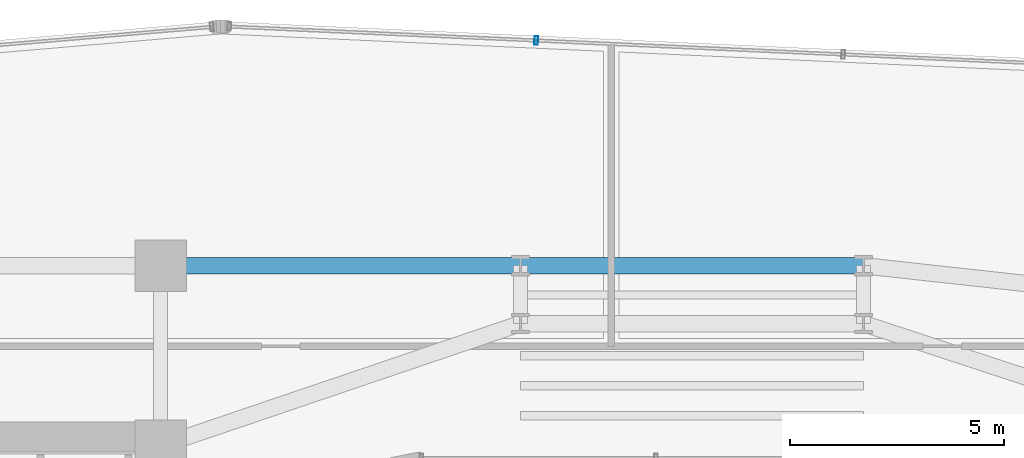
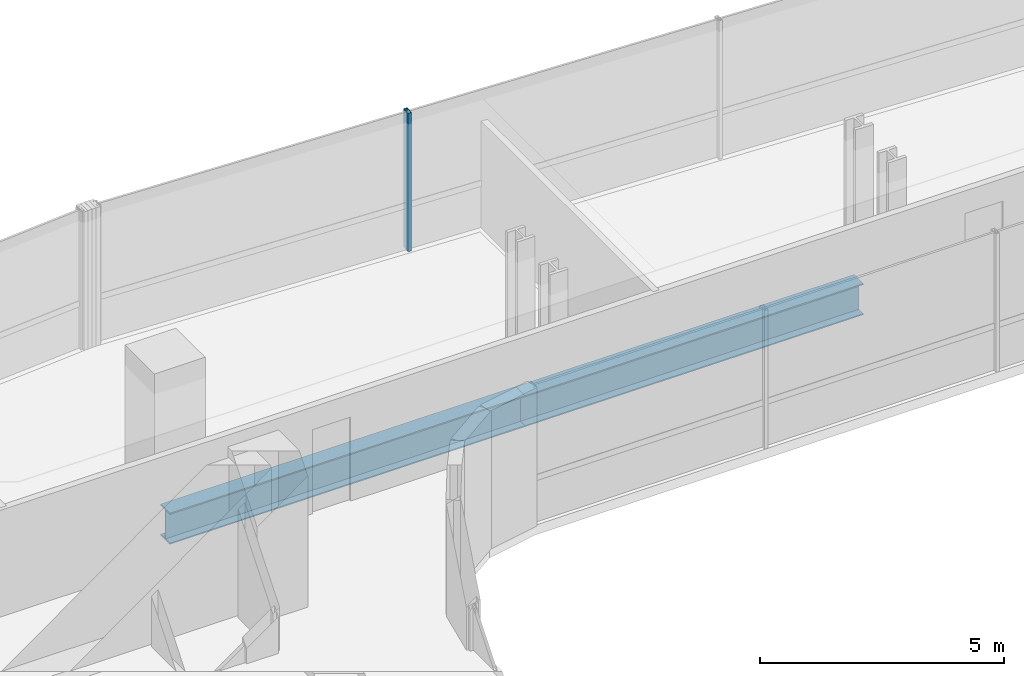
# One storey, part 20 of 34: 2 beams, 1 member, 1 element without a shape of its own.
"""IFC4 building model written with IfcOpenShell, lengths in metres."""

from ifc_helpers import new_model, si_unit, direction, frame, origin, origin_2d, place, context, subcontext, project, spatial, hollow_rectangle, i_section, extrude, source, transform, mapped, material, material_profile, profile_set, type_object, element, aggregate, save


model = new_model("IFC4")

# Units and contexts
model_context = context("Model", 3, precision=1e-05, world=origin(), true_north=direction((0.0, 1.0)))
body_context = subcontext(model_context, "Body", "Model", "MODEL_VIEW")
ifc_project = project(units=[si_unit("LENGTHUNIT", "METRE"), si_unit("AREAUNIT", "SQUARE_METRE"), si_unit("VOLUMEUNIT", "CUBIC_METRE"), si_unit("PLANEANGLEUNIT", "RADIAN"), si_unit("MASSUNIT", "GRAM", prefix="KILO")], contexts=[model_context])

# Site, building, storey
site_placement = place(None, origin())
site = spatial("IfcSite", under=ifc_project, at=site_placement, CompositionType="ELEMENT")
building_placement = place(site_placement, origin())
building = spatial("IfcBuilding", under=site, at=building_placement, Name="Valdorenza Pilgrim Sanctuary Tower", CompositionType="ELEMENT")
storey_placement = place(building_placement, frame((0.0, 0.0, 146.39990234375)))
storey = spatial("IfcBuildingStorey", under=building, at=storey_placement, Name="L37", CompositionType="ELEMENT", Elevation=146.39990234375)

# Beams
ifc_material_1 = material(Name="Steel ASTM A992 Grade 50", Category="steel")
ifc_material_profile_1 = material_profile(ifc_material_1, i_section(OverallWidth=0.382080078125, OverallDepth=0.779052734375, WebThickness=0.01806640625, FlangeThickness=0.030029296875, at=origin_2d()), Name="W30X191")
ifc_profile_set_1 = profile_set([ifc_material_profile_1], Name="Steel ASTM A992 Grade 50")
beam_type = type_object("IfcBeamType", Name="STR-BM-GRD-W30", PredefinedType="BEAM", material=ifc_profile_set_1)
shared_shape_1 = source(origin(), body_context, "Body", "SweptSolid", [
    extrude(i_section(OverallWidth=0.382080078125, OverallDepth=0.779052734375, WebThickness=0.01806640625, FlangeThickness=0.030029296875, at=origin_2d()), origin(), (0.0, 0.0, 1.0), 8.0),
])
beam_1_placement = place(storey_placement, frame((-4.0, 14.800048828125, -0.62939453125), z_axis=(1.0, 0.0, 0.0), x_axis=(0.0, 1.0, 0.0)))
element("IfcBeam", 1, at=beam_1_placement, inside=storey, type_object=beam_type, Name="L37 Floor Girder KNK-G5", PredefinedType="BEAM", context=body_context, shape_type="MappedRepresentation", body=[
    mapped(shared_shape_1, transform((0.0, 0.0, 0.0), x_axis=(1.0, 0.0, 0.0), y_axis=(0.0, 1.0, 0.0), z_axis=(0.0, 0.0, 1.0), scale=1.0)),
])
shared_shape_2 = source(origin(), body_context, "Body", "SweptSolid", [
    extrude(i_section(OverallWidth=0.382080078125, OverallDepth=0.779052734375, WebThickness=0.01806640625, FlangeThickness=0.030029296875, at=origin_2d()), origin(), (0.0, 0.0, 1.0), 8.39990234375),
])
beam_2_placement = place(storey_placement, frame((-12.39990234375, 14.800048828125, -0.62939453125), z_axis=(1.0, 0.0, 0.0), x_axis=(0.0, 1.0, 0.0)))
element("IfcBeam", 2, at=beam_2_placement, inside=storey, type_object=beam_type, Name="L37 Floor Girder KNK-G4", PredefinedType="BEAM", context=body_context, shape_type="MappedRepresentation", body=[
    mapped(shared_shape_2, transform((0.0, 0.0, 0.0), x_axis=(1.0, 0.0, 0.0), y_axis=(0.0, 1.0, 0.0), z_axis=(0.0, 0.0, 1.0), scale=1.0)),
])

# Curtain wall, member
ifc_material_2 = material(Name="Curtain-wall IGU glazing", Category="glass")
curtain_wall_type = type_object("IfcCurtainWallType", Name="CW-SYS-02", PredefinedType="NOTDEFINED", material=ifc_material_2)
curtain_wall_placement = place(storey_placement, origin())
curtain_wall = element("IfcCurtainWall", 3, at=curtain_wall_placement, inside=storey, type_object=curtain_wall_type, Name="L37 Curtain Wall CW-L37-1-11", PredefinedType="NOTDEFINED")
ifc_material_3 = material(Name="Anodised aluminium AW-6060", Category="aluminium")
ifc_material_profile_2 = material_profile(ifc_material_3, hollow_rectangle(XDim=0.0849609375, YDim=0.199951171875, WallThickness=0.0048828125, at=origin_2d()), Name="ALU-M 200x85x5")
ifc_profile_set_2 = profile_set([ifc_material_profile_2], Name="Anodised aluminium AW-6060")
member_type = type_object("IfcMemberType", Name="CW-MUL-02", PredefinedType="MULLION", material=ifc_profile_set_2)
shared_shape_3 = source(origin(), body_context, "Body", "SweptSolid", [
    extrude(hollow_rectangle(XDim=0.0849609375, YDim=0.199951171875, WallThickness=0.0048828125, at=origin_2d()), origin(), (0.0, 0.0, 1.0), 3.460205078125),
])
member_placement = place(storey_placement, frame((-3.6337890625, 20.05517578125, 0.0), z_axis=(0.0, 0.0, 1.0), x_axis=(0.998968193221, -0.045415294044, 0.0)))
member = element("IfcMember", 4, at=member_placement, type_object=member_type, Name="CW-L37-1-11 Mullion 2", PredefinedType="MULLION", context=body_context, shape_type="MappedRepresentation", body=[
    mapped(shared_shape_3, transform((0.0, 0.0, 0.0), x_axis=(1.0, 0.0, 0.0), y_axis=(0.0, 1.0, 0.0), z_axis=(0.0, 0.0, 1.0), scale=1.0)),
])
aggregate(curtain_wall, [member])

save(model, "model.ifc")
